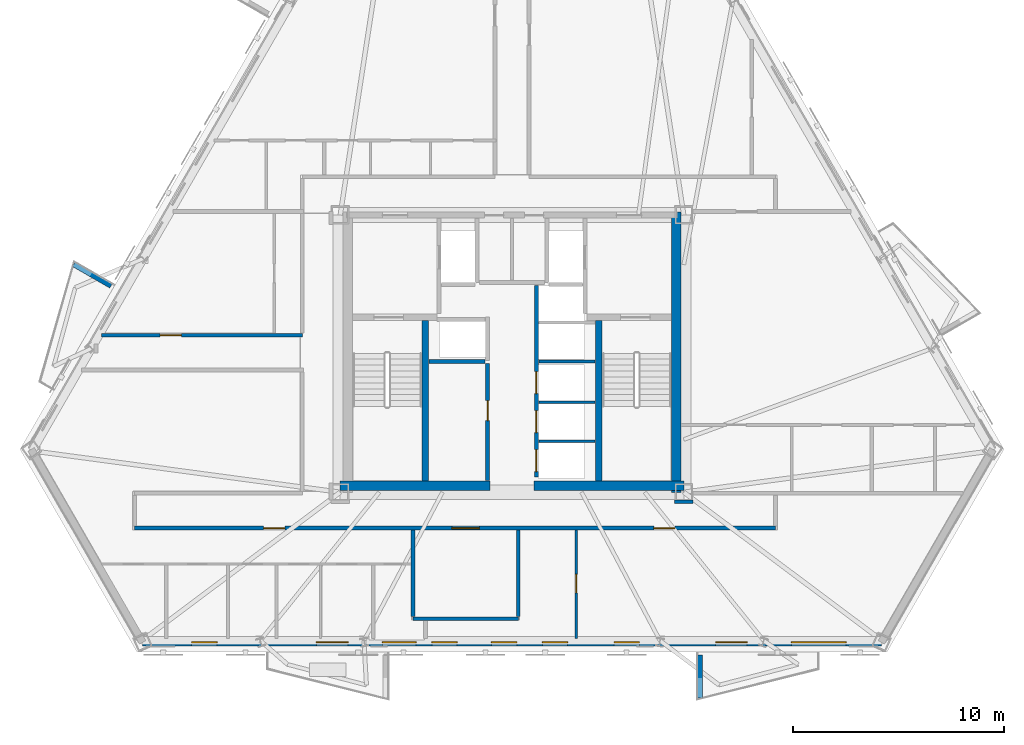
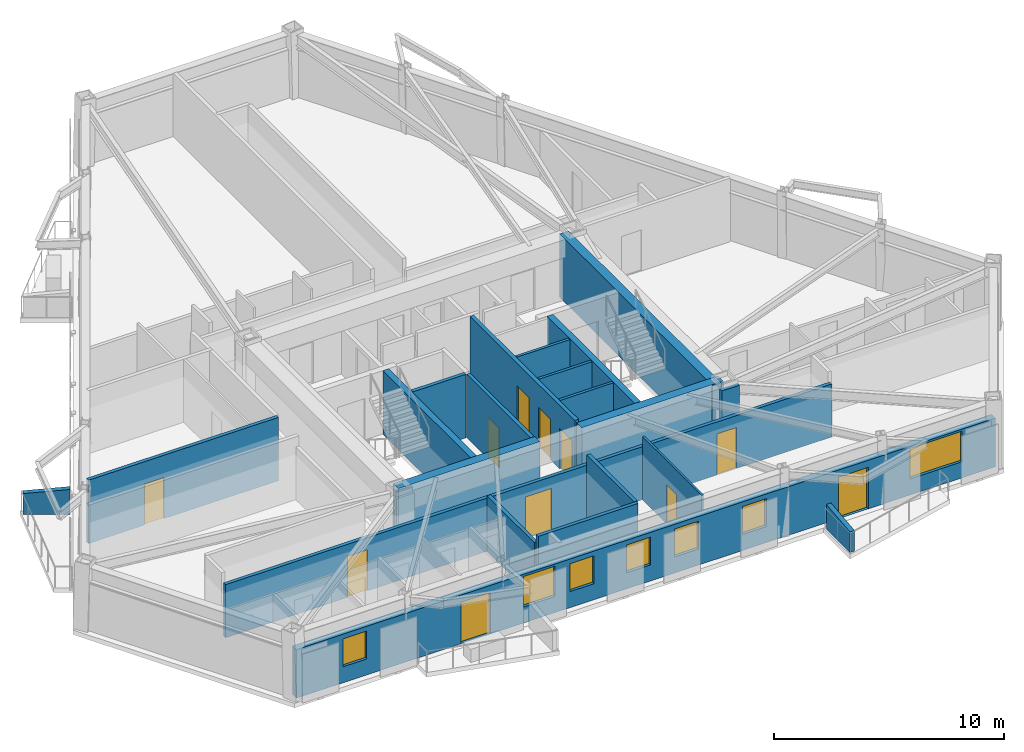
# One storey, part 3 of 9: 21 walls, 11 doors, 7 windows, 18 openings.
"""IFC4 building model written with IfcOpenShell, lengths in metres."""

from ifc_helpers import new_model, si_unit, direction, frame, frame_2d, origin, place, context, subcontext, project, spatial, polyline, rectangle, outline, extrude, material, layer, layer_set, type_object, element, fill, save


model = new_model("IFC4")

# Units and contexts
model_context = context("Model", 3, precision=1e-05, world=origin(), true_north=direction((0.0, 1.0)))
body_context = subcontext(model_context, "Body", "Model", "MODEL_VIEW")
ifc_project = project(units=[si_unit("LENGTHUNIT", "METRE"), si_unit("AREAUNIT", "SQUARE_METRE"), si_unit("VOLUMEUNIT", "CUBIC_METRE"), si_unit("PLANEANGLEUNIT", "RADIAN"), si_unit("MASSUNIT", "GRAM", prefix="KILO")], contexts=[model_context])

# Site, building, storey
site_placement = place(None, origin())
site = spatial("IfcSite", under=ifc_project, at=site_placement, CompositionType="ELEMENT")
building_placement = place(site_placement, origin())
building = spatial("IfcBuilding", under=site, at=building_placement, Name="Oramaril Tower", CompositionType="ELEMENT")
storey_placement = place(building_placement, frame((0.0, 0.0, 126.60009765625)))
storey = spatial("IfcBuildingStorey", under=building, at=storey_placement, Name="L33", CompositionType="ELEMENT", Elevation=126.60009765625)

# Wall, openings, doors, windows
ifc_material_1 = material(Name="Warm Cream Limestone", Category="masonry")
ifc_layer_1 = layer(ifc_material_1, 0.340087890625)
ifc_layer_set_1 = layer_set([ifc_layer_1], Name="WT-EXT34")
wall_type_1 = type_object("IfcWallType", Name="WT-EXT34", PredefinedType="SOLIDWALL", material=ifc_layer_set_1)
wall_1_placement = place(storey_placement, frame((19.9755859375, 3.87841796875, 0.0), z_axis=(0.0, 0.0, 1.0), x_axis=(1.0, 0.0, 0.0)))
wall_1 = element("IfcWall", 1, at=wall_1_placement, inside=storey, type_object=wall_type_1, Name="L33 Tower Limestone Facade Wall 2M", PredefinedType="SOLIDWALL", context=body_context, shape_type="SweptSolid", body=[
    extrude(rectangle(XDim=35.048828125, YDim=0.340087890625, at=frame_2d((17.5244140625, 0.0))), origin(), (0.0, 0.0, 1.0), 2.577880859375),
])
opening_1_placement = place(wall_1_placement, frame((8.244384765625, 0.0, 0.0)))
opening_1 = element("IfcOpeningElement", 2, at=opening_1_placement, cuts=wall_1, Name="Opening D-L33-BAL-S1", PredefinedType="OPENING", context=body_context, shape_type="SweptSolid", body=[
    extrude(rectangle(XDim=1.5, YDim=2.199951171875, at=frame_2d((0.75, 1.10009765625))), frame((0.0, 0.169921875, 0.0), z_axis=(0.0, -1.0, 0.0), x_axis=(1.0, 0.0, 0.0)), (0.0, 0.0, 1.0), 0.340087890625),
])
opening_2_placement = place(wall_1_placement, frame((27.1796875, 0.0, 0.0)))
opening_2 = element("IfcOpeningElement", 3, at=opening_2_placement, cuts=wall_1, Name="Opening D-L33-BAL-S2", PredefinedType="OPENING", context=body_context, shape_type="SweptSolid", body=[
    extrude(rectangle(XDim=1.5, YDim=2.199951171875, at=frame_2d((0.75, 1.10009765625))), frame((0.0, 0.169921875, 0.0), z_axis=(0.0, -1.0, 0.0), x_axis=(1.0, 0.0, 0.0)), (0.0, 0.0, 1.0), 0.340087890625),
])
opening_3_placement = place(wall_1_placement, frame((13.71923828125, 0.0, 0.85009765625)))
opening_3 = element("IfcOpeningElement", 4, at=opening_3_placement, cuts=wall_1, Name="Opening WN-09", PredefinedType="OPENING", context=body_context, shape_type="SweptSolid", body=[
    extrude(rectangle(XDim=1.199951171875, YDim=1.47998046875, at=frame_2d((0.60009765625, 0.739990234375))), frame((0.0, 0.169921875, 0.0), z_axis=(0.0, -1.0, 0.0), x_axis=(1.0, 0.0, 0.0)), (0.0, 0.0, 1.0), 0.340087890625),
])
opening_4_placement = place(wall_1_placement, frame((16.55078125, 0.0, 0.85009765625)))
opening_4 = element("IfcOpeningElement", 5, at=opening_4_placement, cuts=wall_1, Name="Opening WN-09", PredefinedType="OPENING", context=body_context, shape_type="SweptSolid", body=[
    extrude(rectangle(XDim=1.199951171875, YDim=1.47998046875, at=frame_2d((0.60009765625, 0.739990234375))), frame((0.0, 0.169921875, 0.0), z_axis=(0.0, -1.0, 0.0), x_axis=(1.0, 0.0, 0.0)), (0.0, 0.0, 1.0), 0.340087890625),
])
opening_5_placement = place(wall_1_placement, frame((22.3662109375, 0.0, 0.85009765625)))
opening_5 = element("IfcOpeningElement", 6, at=opening_5_placement, cuts=wall_1, Name="Opening WN-09", PredefinedType="OPENING", context=body_context, shape_type="SweptSolid", body=[
    extrude(rectangle(XDim=1.199951171875, YDim=1.47998046875, at=frame_2d((0.60009765625, 0.739990234375))), frame((0.0, 0.169921875, 0.0), z_axis=(0.0, -1.0, 0.0), x_axis=(1.0, 0.0, 0.0)), (0.0, 0.0, 1.0), 0.340087890625),
])
opening_6_placement = place(wall_1_placement, frame((30.77685546875, 0.0, 0.85009765625)))
opening_6 = element("IfcOpeningElement", 7, at=opening_6_placement, cuts=wall_1, Name="Opening WN-02", PredefinedType="OPENING", context=body_context, shape_type="SweptSolid", body=[
    extrude(rectangle(XDim=2.60009765625, YDim=1.617919921875, at=frame_2d((1.300048828125, 0.80908203125))), frame((0.0, 0.169921875, 0.0), z_axis=(0.0, -1.0, 0.0), x_axis=(1.0, 0.0, 0.0)), (0.0, 0.0, 1.0), 0.340087890625),
])
opening_7_placement = place(wall_1_placement, frame((18.962890625, 0.0, 0.85009765625)))
opening_7 = element("IfcOpeningElement", 8, at=opening_7_placement, cuts=wall_1, Name="Opening WN-09", PredefinedType="OPENING", context=body_context, shape_type="SweptSolid", body=[
    extrude(rectangle(XDim=1.199951171875, YDim=1.47998046875, at=frame_2d((0.60009765625, 0.739990234375))), frame((0.0, 0.169921875, 0.0), z_axis=(0.0, -1.0, 0.0), x_axis=(1.0, 0.0, 0.0)), (0.0, 0.0, 1.0), 0.340087890625),
])
opening_8_placement = place(wall_1_placement, frame((2.3291015625, 0.0, 0.85009765625)))
opening_8 = element("IfcOpeningElement", 9, at=opening_8_placement, cuts=wall_1, Name="Opening WN-09", PredefinedType="OPENING", context=body_context, shape_type="SweptSolid", body=[
    extrude(rectangle(XDim=1.199951171875, YDim=1.47998046875, at=frame_2d((0.60009765625, 0.739990234375))), frame((0.0, 0.169921875, 0.0), z_axis=(0.0, -1.0, 0.0), x_axis=(1.0, 0.0, 0.0)), (0.0, 0.0, 1.0), 0.340087890625),
])
opening_9_placement = place(wall_1_placement, frame((11.379638671875, 0.0, 0.85009765625)))
opening_9 = element("IfcOpeningElement", 10, at=opening_9_placement, cuts=wall_1, Name="Opening WN-07", PredefinedType="OPENING", context=body_context, shape_type="SweptSolid", body=[
    extrude(rectangle(XDim=1.60009765625, YDim=1.617919921875, at=frame_2d((0.800048828125, 0.80908203125))), frame((0.0, 0.169921875, 0.0), z_axis=(0.0, -1.0, 0.0), x_axis=(1.0, 0.0, 0.0)), (0.0, 0.0, 1.0), 0.340087890625),
])
ifc_material_2 = material(Name="Anodised Aluminium 6063-T6", Category="aluminium")
door_type_1 = type_object("IfcDoorType", Name="DT-BAL", OperationType="NOTDEFINED", PredefinedType="DOOR", material=ifc_material_2)
door_1_placement = place(opening_1_placement, origin())
door_1 = element("IfcDoor", 11, at=door_1_placement, inside=storey, type_object=door_type_1, Name="L33 Balcony Glazed Door L33-BAL-S1", OperationType="SINGLE_SWING_RIGHT", OverallHeight=2.199951171875, OverallWidth=1.5, PredefinedType="DOOR", context=body_context, shape_type="SweptSolid", body=[
    extrude(rectangle(XDim=1.5, YDim=2.199951171875, at=frame_2d((0.75, 1.10009765625))), frame((0.0, 0.02490234375, 0.0), z_axis=(0.0, -1.0, 0.0), x_axis=(1.0, 0.0, 0.0)), (0.0, 0.0, 1.0), 0.050048828125),
])
fill(opening_1, door_1)
door_2_placement = place(opening_2_placement, origin())
door_2 = element("IfcDoor", 12, at=door_2_placement, inside=storey, type_object=door_type_1, Name="L33 Balcony Glazed Door L33-BAL-S2", OperationType="SINGLE_SWING_LEFT", OverallHeight=2.199951171875, OverallWidth=1.5, PredefinedType="DOOR", context=body_context, shape_type="SweptSolid", body=[
    extrude(rectangle(XDim=1.5, YDim=2.199951171875, at=frame_2d((0.75, 1.10009765625))), frame((0.0, 0.02490234375, 0.0), z_axis=(0.0, -1.0, 0.0), x_axis=(1.0, 0.0, 0.0)), (0.0, 0.0, 1.0), 0.050048828125),
])
fill(opening_2, door_2)
ifc_material_3 = material(Name="Coastal Low-E Insulated Glass", Category="glass")
window_type_1 = type_object("IfcWindowType", Name="WNT-02", PartitioningType="SINGLE_PANEL", PredefinedType="WINDOW", material=ifc_material_3)
window_1_placement = place(opening_6_placement, origin())
window_1 = element("IfcWindow", 13, at=window_1_placement, inside=storey, type_object=window_type_1, Name="L33 Chicago Bay Window WN-02", OverallHeight=1.617919921875, OverallWidth=2.60009765625, PartitioningType="SINGLE_PANEL", PredefinedType="WINDOW", context=body_context, shape_type="SweptSolid", body=[
    extrude(rectangle(XDim=2.60009765625, YDim=1.617919921875, at=frame_2d((1.300048828125, 0.80908203125))), frame((0.0, 0.030029296875, 0.0), z_axis=(0.0, -1.0, 0.0), x_axis=(1.0, 0.0, 0.0)), (0.0, 0.0, 1.0), 0.06005859375),
])
fill(opening_6, window_1)
ifc_material_4 = material(Name="Coastal Low-E Insulated Glass", Category="glass")
window_type_2 = type_object("IfcWindowType", Name="WNT-07", PartitioningType="SINGLE_PANEL", PredefinedType="WINDOW", material=ifc_material_4)
window_2_placement = place(opening_9_placement, origin())
window_2 = element("IfcWindow", 14, at=window_2_placement, inside=storey, type_object=window_type_2, Name="L33 Chicago Bay Window WN-07", OverallHeight=1.617919921875, OverallWidth=1.60009765625, PartitioningType="SINGLE_PANEL", PredefinedType="WINDOW", context=body_context, shape_type="SweptSolid", body=[
    extrude(rectangle(XDim=1.60009765625, YDim=1.617919921875, at=frame_2d((0.800048828125, 0.80908203125))), frame((0.0, 0.030029296875, 0.0), z_axis=(0.0, -1.0, 0.0), x_axis=(1.0, 0.0, 0.0)), (0.0, 0.0, 1.0), 0.06005859375),
])
fill(opening_9, window_2)
ifc_material_5 = material(Name="Coastal Low-E Insulated Glass", Category="glass")
window_type_3 = type_object("IfcWindowType", Name="WNT-09", PartitioningType="SINGLE_PANEL", PredefinedType="WINDOW", material=ifc_material_5)
window_3_placement = place(opening_3_placement, origin())
window_3 = element("IfcWindow", 15, at=window_3_placement, inside=storey, type_object=window_type_3, Name="L33 Chicago Bay Window WN-09", OverallHeight=1.47998046875, OverallWidth=1.199951171875, PartitioningType="SINGLE_PANEL", PredefinedType="WINDOW", context=body_context, shape_type="SweptSolid", body=[
    extrude(rectangle(XDim=1.199951171875, YDim=1.47998046875, at=frame_2d((0.60009765625, 0.739990234375))), frame((0.0, 0.030029296875, 0.0), z_axis=(0.0, -1.0, 0.0), x_axis=(1.0, 0.0, 0.0)), (0.0, 0.0, 1.0), 0.06005859375),
])
fill(opening_3, window_3)
window_4_placement = place(opening_4_placement, origin())
window_4 = element("IfcWindow", 16, at=window_4_placement, inside=storey, type_object=window_type_3, Name="L33 Chicago Bay Window WN-09", OverallHeight=1.47998046875, OverallWidth=1.199951171875, PartitioningType="SINGLE_PANEL", PredefinedType="WINDOW", context=body_context, shape_type="SweptSolid", body=[
    extrude(rectangle(XDim=1.199951171875, YDim=1.47998046875, at=frame_2d((0.60009765625, 0.739990234375))), frame((0.0, 0.030029296875, 0.0), z_axis=(0.0, -1.0, 0.0), x_axis=(1.0, 0.0, 0.0)), (0.0, 0.0, 1.0), 0.06005859375),
])
fill(opening_4, window_4)
window_5_placement = place(opening_5_placement, origin())
window_5 = element("IfcWindow", 17, at=window_5_placement, inside=storey, type_object=window_type_3, Name="L33 Chicago Bay Window WN-09", OverallHeight=1.47998046875, OverallWidth=1.199951171875, PartitioningType="SINGLE_PANEL", PredefinedType="WINDOW", context=body_context, shape_type="SweptSolid", body=[
    extrude(rectangle(XDim=1.199951171875, YDim=1.47998046875, at=frame_2d((0.60009765625, 0.739990234375))), frame((0.0, 0.030029296875, 0.0), z_axis=(0.0, -1.0, 0.0), x_axis=(1.0, 0.0, 0.0)), (0.0, 0.0, 1.0), 0.06005859375),
])
fill(opening_5, window_5)
window_6_placement = place(opening_7_placement, origin())
window_6 = element("IfcWindow", 18, at=window_6_placement, inside=storey, type_object=window_type_3, Name="L33 Chicago Bay Window WN-09", OverallHeight=1.47998046875, OverallWidth=1.199951171875, PartitioningType="SINGLE_PANEL", PredefinedType="WINDOW", context=body_context, shape_type="SweptSolid", body=[
    extrude(rectangle(XDim=1.199951171875, YDim=1.47998046875, at=frame_2d((0.60009765625, 0.739990234375))), frame((0.0, 0.030029296875, 0.0), z_axis=(0.0, -1.0, 0.0), x_axis=(1.0, 0.0, 0.0)), (0.0, 0.0, 1.0), 0.06005859375),
])
fill(opening_7, window_6)
window_7_placement = place(opening_8_placement, origin())
window_7 = element("IfcWindow", 19, at=window_7_placement, inside=storey, type_object=window_type_3, Name="L33 Chicago Bay Window WN-09", OverallHeight=1.47998046875, OverallWidth=1.199951171875, PartitioningType="SINGLE_PANEL", PredefinedType="WINDOW", context=body_context, shape_type="SweptSolid", body=[
    extrude(rectangle(XDim=1.199951171875, YDim=1.47998046875, at=frame_2d((0.60009765625, 0.739990234375))), frame((0.0, 0.030029296875, 0.0), z_axis=(0.0, -1.0, 0.0), x_axis=(1.0, 0.0, 0.0)), (0.0, 0.0, 1.0), 0.06005859375),
])
fill(opening_8, window_7)

# Walls
ifc_material_6 = material(Name="Concrete C40/50", Category="concrete")
ifc_layer_2 = layer(ifc_material_6, 0.22998046875)
ifc_layer_set_2 = layer_set([ifc_layer_2], Name="WT-PRP23")
wall_type_2 = type_object("IfcWallType", Name="WT-PRP23", PredefinedType="PARAPET", material=ifc_layer_set_2)
for number, where, z_axis, x_axis, name in (
    (20, (46.420166015625, 3.2802734375, 0.0), (0.0, 0.0, 1.0), (0.0, -1.0, 0.0), "L33 Trapezoidal Balcony Frame Cheek L33-BAL-S2-L"),
    (21, (18.4736328125, 20.78466796875, 0.0), (0.0, 0.0, 1.0), (-0.866012356593, 0.500022597718, 0.0), "L33 Trapezoidal Balcony Frame Cheek L33-BAL-NW2-L"),
):
    element("IfcWall", number, at=place(storey_placement, frame(where, z_axis=z_axis, x_axis=x_axis)), inside=storey, type_object=wall_type_2, Name=name, PredefinedType="PARAPET", context=body_context, shape_type="SweptSolid", body=[
        extrude(outline(polyline([(0.0, 0.0), (2.0419921875, 0.0), (2.0419921875, 1.099853515625), (0.0, 1.31982421875), (0.0, 0.0)])), frame((0.0, 0.114990234375, 0.0), z_axis=(0.0, -1.0, 0.0), x_axis=(1.0, 0.0, 0.0)), (0.0, 0.0, 1.0), 0.22998046875),
    ])

# Wall, opening, door
ifc_material_7 = material(Name="Acoustic Gypsum Board Partition")
ifc_layer_3 = layer(ifc_material_7, 0.10009765625)
ifc_layer_set_3 = layer_set([ifc_layer_3], Name="WT-PT10")
wall_type_3 = type_object("IfcWallType", Name="WT-PT10", PredefinedType="PARTITIONING", material=ifc_layer_set_3)
wall_2_placement = place(storey_placement, frame((40.550048828125, 4.05224609375, 0.0), z_axis=(0.0, 0.0, 1.0), x_axis=(0.0, 1.0, 0.0)))
wall_2 = element("IfcWall", 22, at=wall_2_placement, inside=storey, type_object=wall_type_3, Name="L33 Interior Partition PT-10", PredefinedType="PARTITIONING", context=body_context, shape_type="SweptSolid", body=[
    extrude(rectangle(XDim=5.15380859375, YDim=0.10009765625, at=frame_2d((2.576904296875, 0.0))), origin(), (0.0, 0.0, 1.0), 3.35986328125),
])
opening_10_placement = place(wall_2_placement, frame((2.171875, 0.0, 0.0)))
opening_10 = element("IfcOpeningElement", 23, at=opening_10_placement, cuts=wall_2, Name="Opening D-L33-24", PredefinedType="OPENING", context=body_context, shape_type="SweptSolid", body=[
    extrude(rectangle(XDim=0.8798828125, YDim=2.080078125, at=frame_2d((0.43994140625, 1.0400390625))), frame((0.0, 0.050048828125, 0.0), z_axis=(0.0, -1.0, 0.0), x_axis=(1.0, 0.0, 0.0)), (0.0, 0.0, 1.0), 0.10009765625),
])
ifc_material_8 = material(Name="FSC Brazilian Freijo Hardwood", Category="wood")
door_type_2 = type_object("IfcDoorType", Name="DT-BATH", OperationType="NOTDEFINED", PredefinedType="DOOR", material=ifc_material_8)
door_3_placement = place(opening_10_placement, origin())
door_3 = element("IfcDoor", 24, at=door_3_placement, inside=storey, type_object=door_type_2, Name="L33 Flat L33-U1 Bathroom Door D-L33-24", OperationType="SINGLE_SWING_LEFT", OverallHeight=2.080078125, OverallWidth=0.8798828125, PredefinedType="DOOR", context=body_context, shape_type="SweptSolid", body=[
    extrude(rectangle(XDim=0.8798828125, YDim=2.080078125, at=frame_2d((0.43994140625, 1.0400390625))), frame((0.0, 0.02490234375, 0.0), z_axis=(0.0, -1.0, 0.0), x_axis=(1.0, 0.0, 0.0)), (0.0, 0.0, 1.0), 0.050048828125),
])
fill(opening_10, door_3)

# Walls
ifc_material_9 = material(Name="Acoustic Gypsum Board Partition")
ifc_layer_4 = layer(ifc_material_9, 0.139892578125)
ifc_layer_set_4 = layer_set([ifc_layer_4], Name="WT-PT14")
wall_type_4 = type_object("IfcWallType", Name="WT-PT14", PredefinedType="PARTITIONING", material=ifc_layer_set_4)
for number, where, z_axis, x_axis, name in (
    (25, (38.780029296875, 13.419921875, 0.0), (0.0, 0.0, 1.0), (1.0, 0.0, 0.0), "L33 East Lift Divider"),
    (26, (38.780029296875, 15.27001953125, 0.0), (0.0, 0.0, 1.0), (1.0, 0.0, 0.0), "L33 East Lift Divider"),
    (27, (38.780029296875, 17.199951171875, 0.0), (0.0, 0.0, 1.0), (1.0, 0.0, 0.0), "L33 East Lift Divider"),
):
    element("IfcWall", number, at=place(storey_placement, frame(where, z_axis=z_axis, x_axis=x_axis)), inside=storey, type_object=wall_type_4, Name=name, PredefinedType="PARTITIONING", context=body_context, shape_type="SweptSolid", body=[
        extrude(rectangle(XDim=2.659912109375, YDim=0.139892578125, at=frame_2d((1.330078125, 0.0))), origin(), (0.0, 0.0, 1.0), 3.35986328125),
    ])
ifc_material_10 = material(Name="Autoclaved Cellular Concrete Block", Category="concrete")
ifc_layer_5 = layer(ifc_material_10, 0.179931640625)
ifc_layer_set_5 = layer_set([ifc_layer_5], Name="WT-PT18")
wall_type_5 = type_object("IfcWallType", Name="WT-PT18", PredefinedType="PARTITIONING", material=ifc_layer_set_5)
wall_3_placement = place(storey_placement, frame((33.56005859375, 17.199951171875, 0.0), z_axis=(0.0, 0.0, 1.0), x_axis=(1.0, 0.0, 0.0)))
element("IfcWall", 28, at=wall_3_placement, inside=storey, type_object=wall_type_5, Name="L33 High-Rise Lift H1 South Wall", PredefinedType="PARTITIONING", context=body_context, shape_type="SweptSolid", body=[
    extrude(rectangle(XDim=2.659912109375, YDim=0.179931640625, at=frame_2d((1.330078125, 0.0))), origin(), (0.0, 0.0, 1.0), 3.35986328125),
])

# Wall, opening, door
wall_4_placement = place(storey_placement, frame((36.340087890625, 11.550048828125, 0.0), z_axis=(0.0, 0.0, 1.0), x_axis=(0.0, 1.0, 0.0)))
wall_4 = element("IfcWall", 29, at=wall_4_placement, inside=storey, type_object=wall_type_5, Name="L33 Freed Shaft Study East Wall", PredefinedType="PARTITIONING", context=body_context, shape_type="SweptSolid", body=[
    extrude(rectangle(XDim=5.550048828125, YDim=0.179931640625, at=frame_2d((2.77490234375, 0.0))), origin(), (0.0, 0.0, 1.0), 3.35986328125),
])
opening_11_placement = place(wall_4_placement, frame((2.85009765625, 0.0, 0.0)))
opening_11 = element("IfcOpeningElement", 30, at=opening_11_placement, cuts=wall_4, Name="Opening D-L33-FL1", PredefinedType="OPENING", context=body_context, shape_type="SweptSolid", body=[
    extrude(rectangle(XDim=0.949951171875, YDim=2.10009765625, at=frame_2d((0.47509765625, 1.050048828125))), frame((0.0, 0.08984375, 0.0), z_axis=(0.0, -1.0, 0.0), x_axis=(1.0, 0.0, 0.0)), (0.0, 0.0, 1.0), 0.179931640625),
])
ifc_material_11 = material(Name="FSC Brazilian Freijo Hardwood", Category="wood")
door_type_3 = type_object("IfcDoorType", Name="DT-STDY", OperationType="NOTDEFINED", PredefinedType="DOOR", material=ifc_material_11)
door_4_placement = place(opening_11_placement, origin())
door_4 = element("IfcDoor", 31, at=door_4_placement, inside=storey, type_object=door_type_3, Name="L33 L33 Residents Study Alcove Door", OperationType="SINGLE_SWING_LEFT", OverallHeight=2.10009765625, OverallWidth=0.949951171875, PredefinedType="DOOR", context=body_context, shape_type="SweptSolid", body=[
    extrude(rectangle(XDim=0.949951171875, YDim=2.10009765625, at=frame_2d((0.47509765625, 1.050048828125))), frame((0.0, 0.02490234375, 0.0), z_axis=(0.0, -1.0, 0.0), x_axis=(1.0, 0.0, 0.0)), (0.0, 0.0, 1.0), 0.050048828125),
])
fill(opening_11, door_4)

# Wall
wall_5_placement = place(storey_placement, frame((32.800048828125, 5.0, 0.0), z_axis=(0.0, 0.0, 1.0), x_axis=(1.0, 0.0, 0.0)))
element("IfcWall", 32, at=wall_5_placement, inside=storey, type_object=wall_type_5, Name="L33 Interior Partition PT-18", PredefinedType="PARTITIONING", context=body_context, shape_type="SweptSolid", body=[
    extrude(rectangle(XDim=5.0, YDim=0.179931640625, at=frame_2d((2.5, 0.0))), origin(), (0.0, 0.0, 1.0), 3.35986328125),
])

# Wall, openings, doors
wall_6_placement = place(storey_placement, frame((19.60009765625, 9.300048828125, 0.0), z_axis=(0.0, 0.0, 1.0), x_axis=(1.0, 0.0, 0.0)))
wall_6 = element("IfcWall", 33, at=wall_6_placement, inside=storey, type_object=wall_type_5, Name="L33 Interior Partition PT-18", PredefinedType="PARTITIONING", context=body_context, shape_type="SweptSolid", body=[
    extrude(rectangle(XDim=30.39990234375, YDim=0.179931640625, at=frame_2d((15.199951171875, 0.0))), origin(), (0.0, 0.0, 1.0), 2.81396484375),
])
opening_12_placement = place(wall_6_placement, frame((6.12109375, 0.0, 0.0)))
opening_12 = element("IfcOpeningElement", 34, at=opening_12_placement, cuts=wall_6, Name="Opening D-L33-07", PredefinedType="OPENING", context=body_context, shape_type="SweptSolid", body=[
    extrude(rectangle(XDim=1.0, YDim=2.179931640625, at=frame_2d((0.5, 1.08984375))), frame((0.0, 0.08984375, 0.0), z_axis=(0.0, -1.0, 0.0), x_axis=(1.0, 0.0, 0.0)), (0.0, 0.0, 1.0), 0.179931640625),
])
opening_13_placement = place(wall_6_placement, frame((15.050048828125, 0.0, 0.0)))
opening_13 = element("IfcOpeningElement", 35, at=opening_13_placement, cuts=wall_6, Name="Opening D-L33-08", PredefinedType="OPENING", context=body_context, shape_type="SweptSolid", body=[
    extrude(rectangle(XDim=1.300048828125, YDim=2.199951171875, at=frame_2d((0.64990234375, 1.10009765625))), frame((0.0, 0.08984375, 0.0), z_axis=(0.0, -1.0, 0.0), x_axis=(1.0, 0.0, 0.0)), (0.0, 0.0, 1.0), 0.179931640625),
])
opening_14_placement = place(wall_6_placement, frame((24.631103515625, 0.0, 0.0)))
opening_14 = element("IfcOpeningElement", 36, at=opening_14_placement, cuts=wall_6, Name="Opening D-L33-09", PredefinedType="OPENING", context=body_context, shape_type="SweptSolid", body=[
    extrude(rectangle(XDim=1.0, YDim=2.179931640625, at=frame_2d((0.5, 1.08984375))), frame((0.0, 0.08984375, 0.0), z_axis=(0.0, -1.0, 0.0), x_axis=(1.0, 0.0, 0.0)), (0.0, 0.0, 1.0), 0.179931640625),
])
ifc_material_12 = material(Name="FSC Brazilian Freijo Hardwood", Category="wood")
door_type_4 = type_object("IfcDoorType", Name="DT-APT", OperationType="NOTDEFINED", PredefinedType="DOOR", material=ifc_material_12)
door_5_placement = place(opening_12_placement, origin())
door_5 = element("IfcDoor", 37, at=door_5_placement, inside=storey, type_object=door_type_4, Name="L33 Flat L33-U2 Penthouse Living and Dining Room Door D-L33-07", OperationType="SINGLE_SWING_RIGHT", OverallHeight=2.179931640625, OverallWidth=1.0, PredefinedType="DOOR", context=body_context, shape_type="SweptSolid", body=[
    extrude(rectangle(XDim=1.0, YDim=2.179931640625, at=frame_2d((0.5, 1.08984375))), frame((0.0, 0.02490234375, 0.0), z_axis=(0.0, -1.0, 0.0), x_axis=(1.0, 0.0, 0.0)), (0.0, 0.0, 1.0), 0.050048828125),
])
fill(opening_12, door_5)
door_6_placement = place(opening_14_placement, origin())
door_6 = element("IfcDoor", 38, at=door_6_placement, inside=storey, type_object=door_type_4, Name="L33 Flat L33-U1 Kitchen and Studio Apartment Door D-L33-09", OperationType="SINGLE_SWING_RIGHT", OverallHeight=2.179931640625, OverallWidth=1.0, PredefinedType="DOOR", context=body_context, shape_type="SweptSolid", body=[
    extrude(rectangle(XDim=1.0, YDim=2.179931640625, at=frame_2d((0.5, 1.08984375))), frame((0.0, 0.02490234375, 0.0), z_axis=(0.0, -1.0, 0.0), x_axis=(1.0, 0.0, 0.0)), (0.0, 0.0, 1.0), 0.050048828125),
])
fill(opening_14, door_6)
ifc_material_13 = material(Name="FSC Brazilian Freijo Hardwood", Category="wood")
door_type_5 = type_object("IfcDoorType", Name="DT-COM", OperationType="NOTDEFINED", PredefinedType="DOOR", material=ifc_material_13)
door_7_placement = place(opening_13_placement, origin())
door_7 = element("IfcDoor", 39, at=door_7_placement, inside=storey, type_object=door_type_5, Name="L33 L33 Residents Floor Meeting Suite Door D-L33-08", OperationType="SINGLE_SWING_LEFT", OverallHeight=2.199951171875, OverallWidth=1.300048828125, PredefinedType="DOOR", context=body_context, shape_type="SweptSolid", body=[
    extrude(rectangle(XDim=1.300048828125, YDim=2.199951171875, at=frame_2d((0.64990234375, 1.10009765625))), frame((0.0, 0.02490234375, 0.0), z_axis=(0.0, -1.0, 0.0), x_axis=(1.0, 0.0, 0.0)), (0.0, 0.0, 1.0), 0.050048828125),
])
fill(opening_13, door_7)

# Wall
wall_7_placement = place(storey_placement, frame((45.205078125, 10.550048828125, 0.0), z_axis=(0.0, 0.0, 1.0), x_axis=(1.0, 0.0, 0.0)))
element("IfcWall", 40, at=wall_7_placement, inside=storey, type_object=wall_type_5, Name="L33 Interior Partition PT-18", PredefinedType="PARTITIONING", context=body_context, shape_type="SweptSolid", body=[
    extrude(rectangle(XDim=0.889892578125, YDim=0.179931640625, at=frame_2d((0.44482421875, 0.0))), origin(), (0.0, 0.0, 1.0), 3.35986328125),
])

# Wall, opening, door
wall_8_placement = place(storey_placement, frame((18.01708984375, 18.449951171875, 0.0), z_axis=(0.0, 0.0, 1.0), x_axis=(1.0, 0.0, 0.0)))
wall_8 = element("IfcWall", 41, at=wall_8_placement, inside=storey, type_object=wall_type_5, Name="L33 Interior Partition PT-18", PredefinedType="PARTITIONING", context=body_context, shape_type="SweptSolid", body=[
    extrude(rectangle(XDim=9.532958984375, YDim=0.179931640625, at=frame_2d((4.7666015625, 0.0))), origin(), (0.0, 0.0, 1.0), 3.35986328125),
])
opening_15_placement = place(wall_8_placement, frame((2.791259765625, 0.0, 0.0)))
opening_15 = element("IfcOpeningElement", 42, at=opening_15_placement, cuts=wall_8, Name="Opening D-L33-14", PredefinedType="OPENING", context=body_context, shape_type="SweptSolid", body=[
    extrude(rectangle(XDim=1.0, YDim=2.179931640625, at=frame_2d((0.5, 1.08984375))), frame((0.0, 0.08984375, 0.0), z_axis=(0.0, -1.0, 0.0), x_axis=(1.0, 0.0, 0.0)), (0.0, 0.0, 1.0), 0.179931640625),
])
door_8_placement = place(opening_15_placement, origin())
door_8 = element("IfcDoor", 43, at=door_8_placement, inside=storey, type_object=door_type_4, Name="L33 Flat L33-U3 Kitchen and Studio Apartment Door D-L33-14", OperationType="SINGLE_SWING_LEFT", OverallHeight=2.179931640625, OverallWidth=1.0, PredefinedType="DOOR", context=body_context, shape_type="SweptSolid", body=[
    extrude(rectangle(XDim=1.0, YDim=2.179931640625, at=frame_2d((0.5, 1.08984375))), frame((0.0, 0.02490234375, 0.0), z_axis=(0.0, -1.0, 0.0), x_axis=(1.0, 0.0, 0.0)), (0.0, 0.0, 1.0), 0.050048828125),
])
fill(opening_15, door_8)

# Walls
wall_9_placement = place(storey_placement, frame((32.800048828125, 5.093994140625, 0.0), z_axis=(0.0, 0.0, 1.0), x_axis=(0.0, 1.0, 0.0)))
element("IfcWall", 44, at=wall_9_placement, inside=storey, type_object=wall_type_5, Name="L33 Interior Partition PT-18", PredefinedType="PARTITIONING", context=body_context, shape_type="SweptSolid", body=[
    extrude(rectangle(XDim=4.112060546875, YDim=0.179931640625, at=frame_2d((2.05615234375, 0.0))), origin(), (0.0, 0.0, 1.0), 2.94580078125),
])
wall_10_placement = place(storey_placement, frame((37.800048828125, 5.093994140625, 0.0), z_axis=(0.0, 0.0, 1.0), x_axis=(0.0, 1.0, 0.0)))
element("IfcWall", 45, at=wall_10_placement, inside=storey, type_object=wall_type_5, Name="L33 Interior Partition PT-18", PredefinedType="PARTITIONING", context=body_context, shape_type="SweptSolid", body=[
    extrude(rectangle(XDim=4.112060546875, YDim=0.179931640625, at=frame_2d((2.05615234375, 0.0))), origin(), (0.0, 0.0, 1.0), 3.35986328125),
])
ifc_material_14 = material(Name="Concrete C50/60", Category="concrete")
ifc_layer_6 = layer(ifc_material_14, 0.300048828125)
ifc_layer_set_6 = layer_set([ifc_layer_6], Name="WT-SH30")
wall_type_6 = type_object("IfcWallType", Name="WT-SH30", PredefinedType="SHEAR", material=ifc_layer_set_6)
for number, where, z_axis, x_axis, name in (
    (46, (33.3798828125, 11.5400390625, 0.0), (0.0, 0.0, 1.0), (0.0, 1.0, 0.0), "L33 Core Shear Wall CW-ST1E"),
    (47, (41.6201171875, 11.5400390625, 0.0), (0.0, 0.0, 1.0), (0.0, 1.0, 0.0), "L33 Core Shear Wall CW-ST2W"),
):
    element("IfcWall", number, at=place(storey_placement, frame(where, z_axis=z_axis, x_axis=x_axis)), inside=storey, type_object=wall_type_6, Name=name, PredefinedType="SHEAR", context=body_context, shape_type="SweptSolid", body=[
        extrude(rectangle(XDim=7.619873046875, YDim=0.300048828125, at=frame_2d((3.81005859375, 0.0))), origin(), (0.0, 0.0, 1.0), 3.35986328125),
    ])
ifc_material_15 = material(Name="Concrete C50/60", Category="concrete")
ifc_layer_7 = layer(ifc_material_15, 0.449951171875)
ifc_layer_set_7 = layer_set([ifc_layer_7], Name="WT-SH45")
wall_type_7 = type_object("IfcWallType", Name="WT-SH45", PredefinedType="SHEAR", material=ifc_layer_set_7)
wall_11_placement = place(storey_placement, frame((45.284912109375, 11.0, 0.0), z_axis=(0.0, 0.0, 1.0), x_axis=(0.0, 1.0, 0.0)))
element("IfcWall", 48, at=wall_11_placement, inside=storey, type_object=wall_type_7, Name="L33 Core Shear Wall CW-E", PredefinedType="SHEAR", context=body_context, shape_type="SweptSolid", body=[
    extrude(rectangle(XDim=13.300048828125, YDim=0.449951171875, at=frame_2d((6.64990234375, 0.0))), origin(), (0.0, 0.0, 1.0), 3.35986328125),
])
for number, where, z_axis, x_axis, name in (
    (49, (29.35009765625, 11.31494140625, 0.0), (0.0, 0.0, 1.0), (1.0, 0.0, 0.0), "L33 Core Shear Wall CW-SW"),
    (50, (38.550048828125, 11.31494140625, 0.0), (0.0, 0.0, 1.0), (1.0, 0.0, 0.0), "L33 Core Shear Wall CW-SE"),
):
    element("IfcWall", number, at=place(storey_placement, frame(where, z_axis=z_axis, x_axis=x_axis)), inside=storey, type_object=wall_type_7, Name=name, PredefinedType="SHEAR", context=body_context, shape_type="SweptSolid", body=[
        extrude(rectangle(XDim=7.099853515625, YDim=0.449951171875, at=frame_2d((3.5498046875, 0.0))), origin(), (0.0, 0.0, 1.0), 3.35986328125),
    ])

# Wall, openings, doors
ifc_material_16 = material(Name="Autoclaved Cellular Concrete Block", Category="concrete")
ifc_layer_8 = layer(ifc_material_16, 0.199951171875)
ifc_layer_set_8 = layer_set([ifc_layer_8], Name="WT-SHF20")
wall_type_8 = type_object("IfcWallType", Name="WT-SHF20", PredefinedType="PARTITIONING", material=ifc_layer_set_8)
wall_12_placement = place(storey_placement, frame((38.659912109375, 11.719970703125, 0.0), z_axis=(0.0, 0.0, 1.0), x_axis=(0.0, 1.0, 0.0)))
wall_12 = element("IfcWall", 51, at=wall_12_placement, inside=storey, type_object=wall_type_8, Name="L33 East Lift Bank Front Wall", PredefinedType="PARTITIONING", context=body_context, shape_type="SweptSolid", body=[
    extrude(rectangle(XDim=9.10009765625, YDim=0.199951171875, at=frame_2d((4.550048828125, 0.0))), origin(), (0.0, 0.0, 1.0), 3.35986328125),
])
opening_16_placement = place(wall_12_placement, frame((0.2548828125, 0.0, 0.0)))
opening_16 = element("IfcOpeningElement", 52, at=opening_16_placement, cuts=wall_12, Name="Opening LD-L33-LP-M1", PredefinedType="OPENING", context=body_context, shape_type="SweptSolid", body=[
    extrude(rectangle(XDim=1.050048828125, YDim=2.14990234375, at=frame_2d((0.52490234375, 1.074951171875))), frame((0.0, 0.10009765625, 0.0), z_axis=(0.0, -1.0, 0.0), x_axis=(1.0, 0.0, 0.0)), (0.0, 0.0, 1.0), 0.199951171875),
])
opening_17_placement = place(wall_12_placement, frame((2.10498046875, 0.0, 0.0)))
opening_17 = element("IfcOpeningElement", 53, at=opening_17_placement, cuts=wall_12, Name="Opening LD-L33-LP-M2", PredefinedType="OPENING", context=body_context, shape_type="SweptSolid", body=[
    extrude(rectangle(XDim=1.050048828125, YDim=2.14990234375, at=frame_2d((0.52490234375, 1.074951171875))), frame((0.0, 0.10009765625, 0.0), z_axis=(0.0, -1.0, 0.0), x_axis=(1.0, 0.0, 0.0)), (0.0, 0.0, 1.0), 0.199951171875),
])
opening_18_placement = place(wall_12_placement, frame((3.955078125, 0.0, 0.0)))
opening_18 = element("IfcOpeningElement", 54, at=opening_18_placement, cuts=wall_12, Name="Opening LD-L33-LP-M3", PredefinedType="OPENING", context=body_context, shape_type="SweptSolid", body=[
    extrude(rectangle(XDim=1.050048828125, YDim=2.14990234375, at=frame_2d((0.52490234375, 1.074951171875))), frame((0.0, 0.10009765625, 0.0), z_axis=(0.0, -1.0, 0.0), x_axis=(1.0, 0.0, 0.0)), (0.0, 0.0, 1.0), 0.199951171875),
])
ifc_material_17 = material(Name="Stainless Steel 316L", Category="steel")
door_type_6 = type_object("IfcDoorType", Name="DT-LD2", OperationType="NOTDEFINED", PredefinedType="DOOR", material=ifc_material_17)
door_9_placement = place(opening_16_placement, origin())
door_9 = element("IfcDoor", 55, at=door_9_placement, inside=storey, type_object=door_type_6, Name="L33 Lift LP-M1 Sliding Landing Door", OperationType="SLIDING_TO_RIGHT", OverallHeight=2.14990234375, OverallWidth=1.050048828125, PredefinedType="DOOR", context=body_context, shape_type="SweptSolid", body=[
    extrude(rectangle(XDim=1.050048828125, YDim=2.14990234375, at=frame_2d((0.52490234375, 1.074951171875))), frame((0.0, 0.02490234375, 0.0), z_axis=(0.0, -1.0, 0.0), x_axis=(1.0, 0.0, 0.0)), (0.0, 0.0, 1.0), 0.050048828125),
])
fill(opening_16, door_9)
door_10_placement = place(opening_17_placement, origin())
door_10 = element("IfcDoor", 56, at=door_10_placement, inside=storey, type_object=door_type_6, Name="L33 Lift LP-M2 Sliding Landing Door", OperationType="SLIDING_TO_LEFT", OverallHeight=2.14990234375, OverallWidth=1.050048828125, PredefinedType="DOOR", context=body_context, shape_type="SweptSolid", body=[
    extrude(rectangle(XDim=1.050048828125, YDim=2.14990234375, at=frame_2d((0.52490234375, 1.074951171875))), frame((0.0, 0.02490234375, 0.0), z_axis=(0.0, -1.0, 0.0), x_axis=(1.0, 0.0, 0.0)), (0.0, 0.0, 1.0), 0.050048828125),
])
fill(opening_17, door_10)
door_11_placement = place(opening_18_placement, origin())
door_11 = element("IfcDoor", 57, at=door_11_placement, inside=storey, type_object=door_type_6, Name="L33 Lift LP-M3 Sliding Landing Door", OperationType="SLIDING_TO_RIGHT", OverallHeight=2.14990234375, OverallWidth=1.050048828125, PredefinedType="DOOR", context=body_context, shape_type="SweptSolid", body=[
    extrude(rectangle(XDim=1.050048828125, YDim=2.14990234375, at=frame_2d((0.52490234375, 1.074951171875))), frame((0.0, 0.02490234375, 0.0), z_axis=(0.0, -1.0, 0.0), x_axis=(1.0, 0.0, 0.0)), (0.0, 0.0, 1.0), 0.050048828125),
])
fill(opening_18, door_11)

save(model, "model.ifc")
